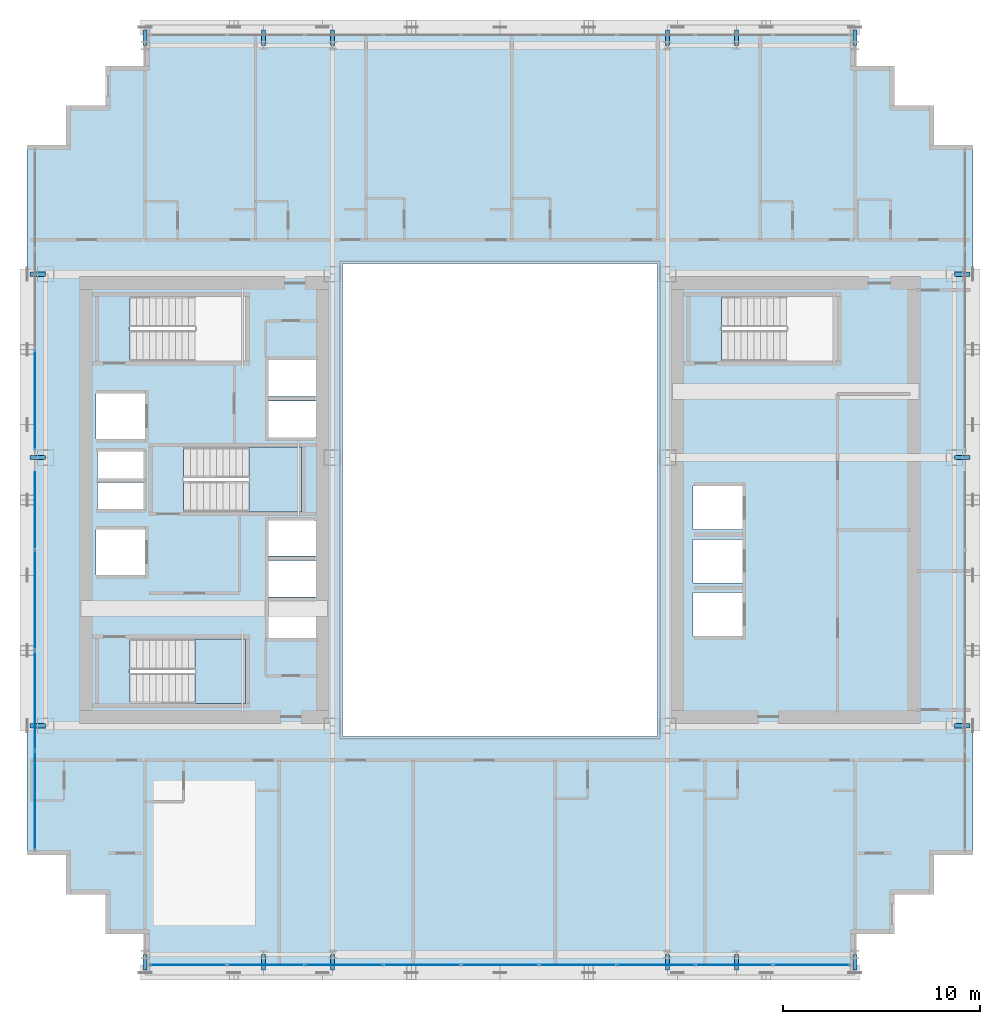
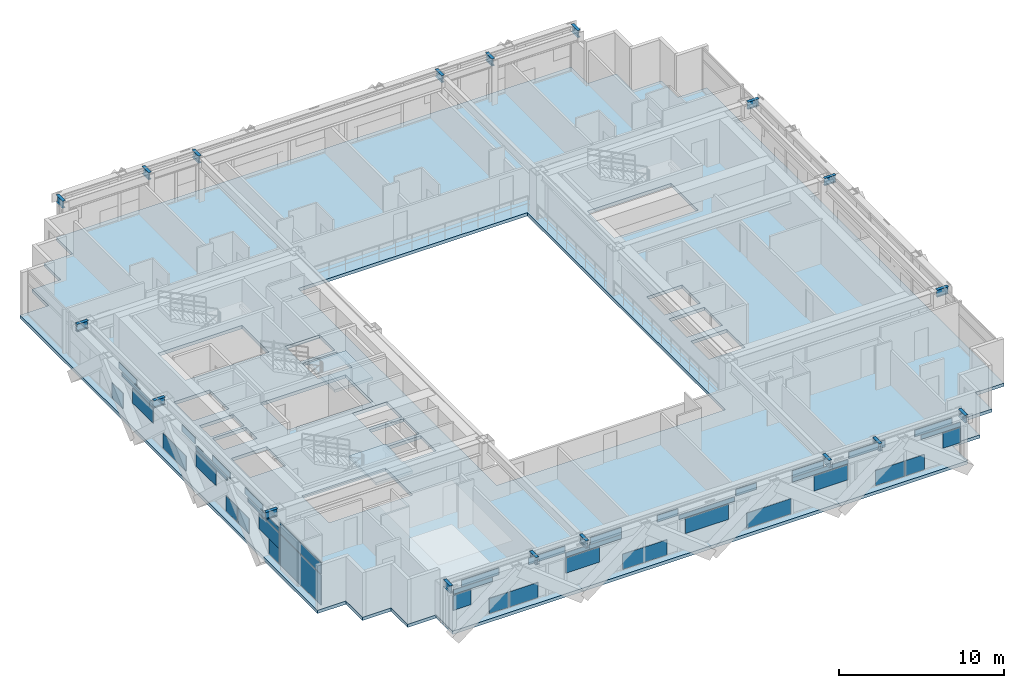
# One storey, part 23 of 36: 41 plates, 18 beams, 3 slabs, 4 elements without a shape of their own.
"""IFC4 building model written with IfcOpenShell, lengths in metres."""

from ifc_helpers import new_model, si_unit, direction, frame, origin, origin_2d, place, context, subcontext, project, spatial, polyline, rectangle, i_section, outline, extrude, source, transform, mapped, material, layer, layer_set, material_profile, profile_set, type_object, element, aggregate, save


model = new_model("IFC4")

# Units and contexts
model_context = context("Model", 3, precision=1e-05, world=origin(), true_north=direction((0.0, 1.0)))
body_context = subcontext(model_context, "Body", "Model", "MODEL_VIEW")
ifc_project = project(units=[si_unit("LENGTHUNIT", "METRE"), si_unit("AREAUNIT", "SQUARE_METRE"), si_unit("VOLUMEUNIT", "CUBIC_METRE"), si_unit("PLANEANGLEUNIT", "RADIAN"), si_unit("MASSUNIT", "GRAM", prefix="KILO")], contexts=[model_context])

# Site, building, storey
site_placement = place(None, origin())
site = spatial("IfcSite", under=ifc_project, at=site_placement, CompositionType="ELEMENT")
building_placement = place(site_placement, origin())
building = spatial("IfcBuilding", under=site, at=building_placement, Name="Ocotamira Hotel", CompositionType="ELEMENT")
storey_placement = place(building_placement, frame((0.0, 0.0, 147.60009765625)))
storey = spatial("IfcBuildingStorey", under=building, at=storey_placement, Name="L37", CompositionType="ELEMENT", Elevation=147.60009765625)

# Beams
ifc_material_1 = material(Name="Steel ASTM A992 Grade 50", Category="steel")
ifc_material_profile = material_profile(ifc_material_1, i_section(OverallWidth=0.2099609375, OverallDepth=0.537109375, WebThickness=0.010986328125, FlangeThickness=0.017333984375, FilletRadius=0.012939453125, at=origin_2d()), Name="W21X68")
ifc_profile_set = profile_set([ifc_material_profile], Name="Steel ASTM A992 Grade 50")
beam_type = type_object("IfcBeamType", Name="BM-SEC-W21X68", PredefinedType="JOIST", material=ifc_profile_set)
shared_shape_1 = source(origin(), body_context, "Body", "SweptSolid", [
    extrude(i_section(OverallWidth=0.2099609375, OverallDepth=0.537109375, WebThickness=0.010986328125, FlangeThickness=0.017333984375, FilletRadius=0.012939453125, at=origin_2d()), origin(), (0.0, 0.0, 1.0), 0.800048828125),
])
for number, where, z_axis, x_axis, name in (
    (1, (14.0, 2.949951171875, 3.011474609375), (0.0, -1.0, 0.0), (1.0, 0.0, 0.0), "L37 South Edge Header X14"),
    (2, (14.0, 49.050048828125, 3.011474609375), (0.0, 1.0, 0.0), (-1.0, 0.0, 0.0), "L37 North Edge Header X14"),
    (3, (20.0, 2.949951171875, 3.011474609375), (0.0, -1.0, 0.0), (1.0, 0.0, 0.0), "L37 South Edge Header X20"),
    (4, (20.0, 49.050048828125, 3.011474609375), (0.0, 1.0, 0.0), (-1.0, 0.0, 0.0), "L37 North Edge Header X20"),
    (5, (23.5, 2.949951171875, 3.011474609375), (0.0, -1.0, 0.0), (1.0, 0.0, 0.0), "L37 South Edge Header X23.5"),
    (6, (23.5, 49.050048828125, 3.011474609375), (0.0, 1.0, 0.0), (-1.0, 0.0, 0.0), "L37 North Edge Header X23.5"),
    (7, (40.5, 2.949951171875, 3.011474609375), (0.0, -1.0, 0.0), (1.0, 0.0, 0.0), "L37 South Edge Header X40.5"),
    (8, (40.5, 49.050048828125, 3.011474609375), (0.0, 1.0, 0.0), (-1.0, 0.0, 0.0), "L37 North Edge Header X40.5"),
    (9, (44.0, 2.949951171875, 3.011474609375), (0.0, -1.0, 0.0), (1.0, 0.0, 0.0), "L37 South Edge Header X44"),
    (10, (44.0, 49.050048828125, 3.011474609375), (0.0, 1.0, 0.0), (-1.0, 0.0, 0.0), "L37 North Edge Header X44"),
    (11, (50.0, 2.949951171875, 3.011474609375), (0.0, -1.0, 0.0), (1.0, 0.0, 0.0), "L37 South Edge Header X50"),
    (12, (50.0, 49.050048828125, 3.011474609375), (0.0, 1.0, 0.0), (-1.0, 0.0, 0.0), "L37 North Edge Header X50"),
    (13, (8.949951171875, 14.550048828125, 3.011474609375), (-1.0, 0.0, 0.0), (0.0, -1.0, 0.0), "L37 West Edge Header Y14.55"),
    (14, (55.050048828125, 14.550048828125, 3.011474609375), (1.0, 0.0, 0.0), (0.0, 1.0, 0.0), "L37 East Edge Header Y14.55"),
    (15, (8.949951171875, 28.14990234375, 3.011474609375), (-1.0, 0.0, 0.0), (0.0, -1.0, 0.0), "L37 West Edge Header Y28.15"),
    (16, (55.050048828125, 28.14990234375, 3.011474609375), (1.0, 0.0, 0.0), (0.0, 1.0, 0.0), "L37 East Edge Header Y28.15"),
    (17, (8.949951171875, 37.449951171875, 3.011474609375), (-1.0, 0.0, 0.0), (0.0, -1.0, 0.0), "L37 West Edge Header Y37.45"),
    (18, (55.050048828125, 37.449951171875, 3.011474609375), (1.0, 0.0, 0.0), (0.0, 1.0, 0.0), "L37 East Edge Header Y37.45"),
):
    element("IfcBeam", number, at=place(storey_placement, frame(where, z_axis=z_axis, x_axis=x_axis)), inside=storey, type_object=beam_type, Name=name, PredefinedType="JOIST", context=body_context, shape_type="MappedRepresentation", body=[
        mapped(shared_shape_1, transform((0.0, 0.0, 0.0), scale=1.0)),
    ])

# Stair, slab
ifc_material_2 = material(Name="Concrete C40/50", Category="concrete")
stair_type = type_object("IfcStairType", Name="ST-CORE-1560", PredefinedType="HALF_TURN_STAIR", material=ifc_material_2)
stair_1_placement = place(storey_placement, origin())
stair_1 = element("IfcStair", 19, at=stair_1_placement, inside=storey, type_object=stair_type, Name="L37 Exit Stair ST-1", PredefinedType="HALF_TURN_STAIR")
ifc_layer_1 = layer(ifc_material_2, 0.199951171875)
ifc_layer_set_1 = layer_set([ifc_layer_1], Name="Concrete C40/50")
slab_type_1 = type_object("IfcSlabType", Name="SLB-LAND-200", PredefinedType="LANDING", material=ifc_layer_set_1)
slab_1_placement = place(storey_placement, frame((0.0, 0.0, 1.599853515625)))
slab_1 = element("IfcSlab", 20, at=slab_1_placement, type_object=slab_type_1, Name="ST-1 landing 1", PredefinedType="LANDING", context=body_context, shape_type="SweptSolid", body=[
    extrude(outline(polyline([(16.530029296875, 15.669921875), (19.090087890625, 15.669921875), (19.090087890625, 18.949951171875), (16.530029296875, 18.949951171875), (16.530029296875, 15.669921875)])), origin(), (0.0, 0.0, 1.0), 0.199951171875),
])
aggregate(stair_1, [slab_1])

stair_2_placement = place(storey_placement, origin())
stair_2 = element("IfcStair", 21, at=stair_2_placement, inside=storey, type_object=stair_type, Name="L37 Exit Stair ST-3", PredefinedType="HALF_TURN_STAIR")
slab_2_placement = place(storey_placement, frame((0.0, 0.0, 1.599853515625)))
slab_2 = element("IfcSlab", 22, at=slab_2_placement, type_object=slab_type_1, Name="ST-3 landing 1", PredefinedType="LANDING", context=body_context, shape_type="SweptSolid", body=[
    extrude(outline(polyline([(19.260009765625, 25.39990234375), (21.919921875, 25.39990234375), (21.919921875, 28.679931640625), (19.260009765625, 28.679931640625), (19.260009765625, 25.39990234375)])), origin(), (0.0, 0.0, 1.0), 0.199951171875),
])
aggregate(stair_2, [slab_2])

# Slab
ifc_layer_2 = layer(ifc_material_2, 0.239990234375)
ifc_layer_set_2 = layer_set([ifc_layer_2], Name="Concrete C40/50")
slab_type_2 = type_object("IfcSlabType", Name="SLB-TYP-240", PredefinedType="FLOOR", material=ifc_layer_set_2)
slab_3_placement = place(storey_placement, frame((0.0, 0.0, -0.239990234375)))
element("IfcSlab", 23, at=slab_3_placement, inside=storey, type_object=slab_type_2, Name="L37 Structural Floor Slab", PredefinedType="FLOOR", context=body_context, shape_type="SweptSolid", body=[
    extrude(outline(polyline([(14.0, 2.0), (50.0, 2.0), (50.0, 4.0), (52.0, 4.0), (52.0, 6.0), (54.0, 6.0), (54.0, 8.0), (56.0, 8.0), (56.0, 44.0), (54.0, 44.0), (54.0, 46.0), (52.0, 46.0), (52.0, 48.0), (50.0, 48.0), (50.0, 50.0), (14.0, 50.0), (14.0, 48.0), (12.0, 48.0), (12.0, 46.0), (10.0, 46.0), (10.0, 44.0), (8.0, 44.0), (8.0, 8.0), (10.0, 8.0), (10.0, 6.0), (12.0, 6.0), (12.0, 4.0), (14.0, 4.0), (14.0, 2.0)]), holes=[polyline([(24.0, 14.0), (40.0, 14.0), (40.0, 38.0), (24.0, 38.0), (24.0, 14.0)]), polyline([(13.22998046875, 15.669921875), (19.090087890625, 15.669921875), (19.090087890625, 18.949951171875), (13.22998046875, 18.949951171875), (13.22998046875, 15.669921875)]), polyline([(13.22998046875, 33.050048828125), (19.090087890625, 33.050048828125), (19.090087890625, 36.330078125), (13.22998046875, 36.330078125), (13.22998046875, 33.050048828125)]), polyline([(15.9599609375, 25.39990234375), (21.919921875, 25.39990234375), (21.919921875, 28.679931640625), (15.9599609375, 28.679931640625), (15.9599609375, 25.39990234375)]), polyline([(43.22998046875, 33.050048828125), (49.090087890625, 33.050048828125), (49.090087890625, 36.330078125), (43.22998046875, 36.330078125), (43.22998046875, 33.050048828125)]), polyline([(41.800048828125, 19.10009765625), (44.300048828125, 19.10009765625), (44.300048828125, 21.300048828125), (41.800048828125, 21.300048828125), (41.800048828125, 19.10009765625)]), polyline([(41.800048828125, 21.800048828125), (44.300048828125, 21.800048828125), (44.300048828125, 24.0), (41.800048828125, 24.0), (41.800048828125, 21.800048828125)]), polyline([(41.800048828125, 24.5), (44.300048828125, 24.5), (44.300048828125, 26.699951171875), (41.800048828125, 26.699951171875), (41.800048828125, 24.5)]), polyline([(20.25, 19.0), (22.659912109375, 19.0), (22.659912109375, 20.85009765625), (20.25, 20.85009765625), (20.25, 19.0)]), polyline([(20.25, 21.080078125), (22.659912109375, 21.080078125), (22.659912109375, 22.929931640625), (20.25, 22.929931640625), (20.25, 21.080078125)]), polyline([(20.25, 23.159912109375), (22.659912109375, 23.159912109375), (22.659912109375, 24.9599609375), (20.25, 24.9599609375), (20.25, 23.159912109375)]), polyline([(20.25, 29.179931640625), (22.659912109375, 29.179931640625), (22.659912109375, 31.030029296875), (20.25, 31.030029296875), (20.25, 29.179931640625)]), polyline([(20.25, 31.260009765625), (22.659912109375, 31.260009765625), (22.659912109375, 33.110107421875), (20.25, 33.110107421875), (20.25, 31.260009765625)]), polyline([(11.5, 22.199951171875), (14.0, 22.199951171875), (14.0, 24.5), (11.5, 24.5), (11.5, 22.199951171875)]), polyline([(11.5, 29.10009765625), (14.0, 29.10009765625), (14.0, 31.39990234375), (11.5, 31.39990234375), (11.5, 29.10009765625)]), polyline([(11.580078125, 25.550048828125), (13.919921875, 25.550048828125), (13.919921875, 26.89990234375), (11.580078125, 26.89990234375), (11.580078125, 25.550048828125)]), polyline([(11.580078125, 27.10009765625), (13.919921875, 27.10009765625), (13.919921875, 28.449951171875), (11.580078125, 28.449951171875), (11.580078125, 27.10009765625)])]), origin(), (0.0, 0.0, 1.0), 0.239990234375),
])

# Curtain wall, plates
ifc_material_3 = material(Name="Anodised pale-metal aluminium and solar glass", Category="aluminium")
ifc_layer_3 = layer(ifc_material_3, 0.179931640625)
ifc_layer_set_3 = layer_set([ifc_layer_3], Name="Anodised pale-metal aluminium and solar glass")
curtain_wall_type = type_object("IfcCurtainWallType", Name="CW-SYS3-Z2", PredefinedType="NOTDEFINED", material=ifc_layer_set_3)
curtain_wall_1_placement = place(storey_placement, origin())
curtain_wall_1 = element("IfcCurtainWall", 24, at=curtain_wall_1_placement, inside=storey, type_object=curtain_wall_type, Name="L37 Curtain Wall CW-3 CW-L37-W", PredefinedType="NOTDEFINED")
ifc_material_4 = material(Name="Double-silver low-E insulated solar glass", Category="glass")
ifc_layer_4 = layer(ifc_material_4, 0.031982421875)
ifc_layer_set_4 = layer_set([ifc_layer_4], Name="Double-silver low-E insulated solar glass")
plate_type = type_object("IfcPlateType", Name="CWP-VISION-32", PredefinedType="CURTAIN_PANEL", material=ifc_layer_set_4)
shared_shape_2 = source(origin(), body_context, "Body", "SweptSolid", [
    extrude(rectangle(XDim=4.9658203125, YDim=0.031982421875, at=origin_2d()), origin(), (0.0, 0.0, 1.0), 2.237548828125),
])
plate_1_placement = place(storey_placement, frame((8.419921875, 10.762939453125, 0.07470703125), z_axis=(0.0, 0.0, 1.0), x_axis=(0.0, 1.0, 0.0)))
plate_1 = element("IfcPlate", 25, at=plate_1_placement, type_object=plate_type, Name="CW-3 panel 1.1", PredefinedType="CURTAIN_PANEL", context=body_context, shape_type="MappedRepresentation", body=[
    mapped(shared_shape_2, transform((0.0, 0.0, 0.0), scale=1.0)),
])
shared_shape_3 = source(origin(), body_context, "Body", "SweptSolid", [
    extrude(rectangle(XDim=4.9658203125, YDim=0.031982421875, at=origin_2d()), origin(), (0.0, 0.0, 1.0), 0.8173828125),
])
plate_2_placement = place(storey_placement, frame((8.419921875, 10.762939453125, 2.387451171875), z_axis=(0.0, 0.0, 1.0), x_axis=(0.0, 1.0, 0.0)))
plate_2 = element("IfcPlate", 26, at=plate_2_placement, type_object=plate_type, Name="CW-3 panel 1.2", PredefinedType="CURTAIN_PANEL", context=body_context, shape_type="MappedRepresentation", body=[
    mapped(shared_shape_3, transform((0.0, 0.0, 0.0), scale=1.0)),
])

curtain_wall_2_placement = place(storey_placement, origin())
curtain_wall_2 = element("IfcCurtainWall", 27, at=curtain_wall_2_placement, inside=storey, type_object=curtain_wall_type, Name="L37 Curtain Wall CW-3 CW-L37-S1", PredefinedType="NOTDEFINED")
shared_shape_4 = source(origin(), body_context, "Body", "SweptSolid", [
    extrude(rectangle(XDim=1.223388671875, YDim=0.031982421875, at=origin_2d()), origin(), (0.0, 0.0, 1.0), 1.118896484375),
])
plate_3_placement = place(storey_placement, frame((14.8916015625, 2.419921875, 1.193359375), z_axis=(0.0, 0.0, 1.0), x_axis=(1.0, 0.0, 0.0)))
plate_3 = element("IfcPlate", 28, at=plate_3_placement, type_object=plate_type, Name="CW-3 panel 1.1.1", PredefinedType="CURTAIN_PANEL", context=body_context, shape_type="MappedRepresentation", body=[
    mapped(shared_shape_4, transform((0.0, 0.0, 0.0), scale=1.0)),
])
plate_4_placement = place(storey_placement, frame((49.1083984375, 2.419921875, 1.193359375), z_axis=(0.0, 0.0, 1.0), x_axis=(1.0, 0.0, 0.0)))
plate_4 = element("IfcPlate", 29, at=plate_4_placement, type_object=plate_type, Name="CW-3 panel 9.1.2", PredefinedType="CURTAIN_PANEL", context=body_context, shape_type="MappedRepresentation", body=[
    mapped(shared_shape_4, transform((0.0, 0.0, 0.0), scale=1.0)),
])
shared_shape_5 = source(origin(), body_context, "Body", "SweptSolid", [
    extrude(rectangle(XDim=1.313720703125, YDim=0.031982421875, at=origin_2d()), origin(), (0.0, 0.0, 1.0), 1.11865234375),
])
plate_5_placement = place(storey_placement, frame((17.458740234375, 2.419921875, 0.074951171875), z_axis=(0.0, 0.0, 1.0), x_axis=(1.0, 0.0, 0.0)))
plate_5 = element("IfcPlate", 30, at=plate_5_placement, type_object=plate_type, Name="CW-3 panel 1.1.2", PredefinedType="CURTAIN_PANEL", context=body_context, shape_type="MappedRepresentation", body=[
    mapped(shared_shape_5, transform((0.0, 0.0, 0.0), scale=1.0)),
])
plate_6_placement = place(storey_placement, frame((46.541259765625, 2.419921875, 0.074951171875), z_axis=(0.0, 0.0, 1.0), x_axis=(1.0, 0.0, 0.0)))
plate_6 = element("IfcPlate", 31, at=plate_6_placement, type_object=plate_type, Name="CW-3 panel 9.1.1", PredefinedType="CURTAIN_PANEL", context=body_context, shape_type="MappedRepresentation", body=[
    mapped(shared_shape_5, transform((0.0, 0.0, 0.0), scale=1.0)),
])
shared_shape_6 = source(origin(), body_context, "Body", "SweptSolid", [
    extrude(rectangle(XDim=2.74951171875, YDim=0.031982421875, at=origin_2d()), origin(), (0.0, 0.0, 1.0), 0.315185546875),
])
plate_7_placement = place(storey_placement, frame((15.65478515625, 2.419921875, 2.38720703125), z_axis=(0.0, 0.0, 1.0), x_axis=(1.0, 0.0, 0.0)))
plate_7 = element("IfcPlate", 32, at=plate_7_placement, type_object=plate_type, Name="CW-3 panel 1.2.1", PredefinedType="CURTAIN_PANEL", context=body_context, shape_type="MappedRepresentation", body=[
    mapped(shared_shape_6, transform((0.0, 0.0, 0.0), scale=1.0)),
])
plate_8_placement = place(storey_placement, frame((48.34521484375, 2.419921875, 2.38720703125), z_axis=(0.0, 0.0, 1.0), x_axis=(1.0, 0.0, 0.0)))
plate_8 = element("IfcPlate", 33, at=plate_8_placement, type_object=plate_type, Name="CW-3 panel 9.2.2", PredefinedType="CURTAIN_PANEL", context=body_context, shape_type="MappedRepresentation", body=[
    mapped(shared_shape_6, transform((0.0, 0.0, 0.0), scale=1.0)),
])
shared_shape_7 = source(origin(), body_context, "Body", "SweptSolid", [
    extrude(rectangle(XDim=2.612060546875, YDim=0.031982421875, at=origin_2d()), origin(), (0.0, 0.0, 1.0), 0.474609375),
])
plate_9_placement = place(storey_placement, frame((16.16162109375, 2.419921875, 2.730224609375), z_axis=(0.0, 0.0, 1.0), x_axis=(1.0, 0.0, 0.0)))
plate_9 = element("IfcPlate", 34, at=plate_9_placement, type_object=plate_type, Name="CW-3 panel 1.2.2", PredefinedType="CURTAIN_PANEL", context=body_context, shape_type="MappedRepresentation", body=[
    mapped(shared_shape_7, transform((0.0, 0.0, 0.0), scale=1.0)),
])
plate_10_placement = place(storey_placement, frame((47.83837890625, 2.419921875, 2.730224609375), z_axis=(0.0, 0.0, 1.0), x_axis=(1.0, 0.0, 0.0)))
plate_10 = element("IfcPlate", 35, at=plate_10_placement, type_object=plate_type, Name="CW-3 panel 9.2.1", PredefinedType="CURTAIN_PANEL", context=body_context, shape_type="MappedRepresentation", body=[
    mapped(shared_shape_7, transform((0.0, 0.0, 0.0), scale=1.0)),
])
shared_shape_8 = source(origin(), body_context, "Body", "SweptSolid", [
    extrude(rectangle(XDim=2.002685546875, YDim=0.031982421875, at=origin_2d()), origin(), (0.0, 0.0, 1.0), 1.11865234375),
])
plate_11_placement = place(storey_placement, frame((19.197021484375, 2.419921875, 0.074951171875), z_axis=(0.0, 0.0, 1.0), x_axis=(1.0, 0.0, 0.0)))
plate_11 = element("IfcPlate", 36, at=plate_11_placement, type_object=plate_type, Name="CW-3 panel 2.1.1", PredefinedType="CURTAIN_PANEL", context=body_context, shape_type="MappedRepresentation", body=[
    mapped(shared_shape_8, transform((0.0, 0.0, 0.0), scale=1.0)),
])
plate_12_placement = place(storey_placement, frame((44.802978515625, 2.419921875, 0.074951171875), z_axis=(0.0, 0.0, 1.0), x_axis=(1.0, 0.0, 0.0)))
plate_12 = element("IfcPlate", 37, at=plate_12_placement, type_object=plate_type, Name="CW-3 panel 8.1.1", PredefinedType="CURTAIN_PANEL", context=body_context, shape_type="MappedRepresentation", body=[
    mapped(shared_shape_8, transform((0.0, 0.0, 0.0), scale=1.0)),
])
shared_shape_9 = source(origin(), body_context, "Body", "SweptSolid", [
    extrude(rectangle(XDim=2.538818359375, YDim=0.031982421875, at=origin_2d()), origin(), (0.0, 0.0, 1.0), 0.474609375),
])
plate_13_placement = place(storey_placement, frame((20.8017578125, 2.419921875, 2.730224609375), z_axis=(0.0, 0.0, 1.0), x_axis=(1.0, 0.0, 0.0)))
plate_13 = element("IfcPlate", 38, at=plate_13_placement, type_object=plate_type, Name="CW-3 panel 2.2.1", PredefinedType="CURTAIN_PANEL", context=body_context, shape_type="MappedRepresentation", body=[
    mapped(shared_shape_9, transform((0.0, 0.0, 0.0), scale=1.0)),
])
plate_14_placement = place(storey_placement, frame((43.1982421875, 2.419921875, 2.730224609375), z_axis=(0.0, 0.0, 1.0), x_axis=(1.0, 0.0, 0.0)))
plate_14 = element("IfcPlate", 39, at=plate_14_placement, type_object=plate_type, Name="CW-3 panel 8.2.1", PredefinedType="CURTAIN_PANEL", context=body_context, shape_type="MappedRepresentation", body=[
    mapped(shared_shape_9, transform((0.0, 0.0, 0.0), scale=1.0)),
])
shared_shape_10 = source(origin(), body_context, "Body", "SweptSolid", [
    extrude(rectangle(XDim=2.352294921875, YDim=0.031982421875, at=origin_2d()), origin(), (0.0, 0.0, 1.0), 1.118896484375),
])
plate_15_placement = place(storey_placement, frame((23.3271484375, 2.419921875, 1.193359375), z_axis=(0.0, 0.0, 1.0), x_axis=(1.0, 0.0, 0.0)))
plate_15 = element("IfcPlate", 40, at=plate_15_placement, type_object=plate_type, Name="CW-3 panel 3.1.1", PredefinedType="CURTAIN_PANEL", context=body_context, shape_type="MappedRepresentation", body=[
    mapped(shared_shape_10, transform((0.0, 0.0, 0.0), scale=1.0)),
])
plate_16_placement = place(storey_placement, frame((40.6728515625, 2.419921875, 1.193359375), z_axis=(0.0, 0.0, 1.0), x_axis=(1.0, 0.0, 0.0)))
plate_16 = element("IfcPlate", 41, at=plate_16_placement, type_object=plate_type, Name="CW-3 panel 7.1.1", PredefinedType="CURTAIN_PANEL", context=body_context, shape_type="MappedRepresentation", body=[
    mapped(shared_shape_10, transform((0.0, 0.0, 0.0), scale=1.0)),
])
shared_shape_11 = source(origin(), body_context, "Body", "SweptSolid", [
    extrude(rectangle(XDim=3.87548828125, YDim=0.031982421875, at=origin_2d()), origin(), (0.0, 0.0, 1.0), 0.315185546875),
])
plate_17_placement = place(storey_placement, frame((24.0888671875, 2.419921875, 2.38720703125), z_axis=(0.0, 0.0, 1.0), x_axis=(1.0, 0.0, 0.0)))
plate_17 = element("IfcPlate", 42, at=plate_17_placement, type_object=plate_type, Name="CW-3 panel 3.2.1", PredefinedType="CURTAIN_PANEL", context=body_context, shape_type="MappedRepresentation", body=[
    mapped(shared_shape_11, transform((0.0, 0.0, 0.0), scale=1.0)),
])
plate_18_placement = place(storey_placement, frame((32.0, 2.419921875, 2.38720703125), z_axis=(0.0, 0.0, 1.0), x_axis=(1.0, 0.0, 0.0)))
plate_18 = element("IfcPlate", 43, at=plate_18_placement, type_object=plate_type, Name="CW-3 panel 5.2.1", PredefinedType="CURTAIN_PANEL", context=body_context, shape_type="MappedRepresentation", body=[
    mapped(shared_shape_11, transform((0.0, 0.0, 0.0), scale=1.0)),
])
plate_19_placement = place(storey_placement, frame((39.9111328125, 2.419921875, 2.38720703125), z_axis=(0.0, 0.0, 1.0), x_axis=(1.0, 0.0, 0.0)))
plate_19 = element("IfcPlate", 44, at=plate_19_placement, type_object=plate_type, Name="CW-3 panel 7.2.1", PredefinedType="CURTAIN_PANEL", context=body_context, shape_type="MappedRepresentation", body=[
    mapped(shared_shape_11, transform((0.0, 0.0, 0.0), scale=1.0)),
])
shared_shape_12 = source(origin(), body_context, "Body", "SweptSolid", [
    extrude(rectangle(XDim=2.1708984375, YDim=0.031982421875, at=origin_2d()), origin(), (0.0, 0.0, 1.0), 0.502197265625),
])
plate_20_placement = place(storey_placement, frame((24.941162109375, 2.419921875, 2.70263671875), z_axis=(0.0, 0.0, 1.0), x_axis=(1.0, 0.0, 0.0)))
plate_20 = element("IfcPlate", 45, at=plate_20_placement, type_object=plate_type, Name="CW-3 panel 3.2.2", PredefinedType="CURTAIN_PANEL", context=body_context, shape_type="MappedRepresentation", body=[
    mapped(shared_shape_12, transform((0.0, 0.0, 0.0), scale=1.0)),
])
plate_21_placement = place(storey_placement, frame((39.058837890625, 2.419921875, 2.70263671875), z_axis=(0.0, 0.0, 1.0), x_axis=(1.0, 0.0, 0.0)))
plate_21 = element("IfcPlate", 46, at=plate_21_placement, type_object=plate_type, Name="CW-3 panel 7.2.2", PredefinedType="CURTAIN_PANEL", context=body_context, shape_type="MappedRepresentation", body=[
    mapped(shared_shape_12, transform((0.0, 0.0, 0.0), scale=1.0)),
])
shared_shape_13 = source(origin(), body_context, "Body", "SweptSolid", [
    extrude(rectangle(XDim=3.091552734375, YDim=0.031982421875, at=origin_2d()), origin(), (0.0, 0.0, 1.0), 1.11865234375),
])
plate_22_placement = place(storey_placement, frame((27.652587890625, 2.419921875, 0.074951171875), z_axis=(0.0, 0.0, 1.0), x_axis=(1.0, 0.0, 0.0)))
plate_22 = element("IfcPlate", 47, at=plate_22_placement, type_object=plate_type, Name="CW-3 panel 4.1.1", PredefinedType="CURTAIN_PANEL", context=body_context, shape_type="MappedRepresentation", body=[
    mapped(shared_shape_13, transform((0.0, 0.0, 0.0), scale=1.0)),
])
plate_23_placement = place(storey_placement, frame((36.347412109375, 2.419921875, 0.074951171875), z_axis=(0.0, 0.0, 1.0), x_axis=(1.0, 0.0, 0.0)))
plate_23 = element("IfcPlate", 48, at=plate_23_placement, type_object=plate_type, Name="CW-3 panel 6.1.1", PredefinedType="CURTAIN_PANEL", context=body_context, shape_type="MappedRepresentation", body=[
    mapped(shared_shape_13, transform((0.0, 0.0, 0.0), scale=1.0)),
])
shared_shape_14 = source(origin(), body_context, "Body", "SweptSolid", [
    extrude(rectangle(XDim=1.449951171875, YDim=0.031982421875, at=origin_2d()), origin(), (0.0, 0.0, 1.0), 0.474609375),
])
plate_24_placement = place(storey_placement, frame((29.25732421875, 2.419921875, 2.730224609375), z_axis=(0.0, 0.0, 1.0), x_axis=(1.0, 0.0, 0.0)))
plate_24 = element("IfcPlate", 49, at=plate_24_placement, type_object=plate_type, Name="CW-3 panel 4.2.1", PredefinedType="CURTAIN_PANEL", context=body_context, shape_type="MappedRepresentation", body=[
    mapped(shared_shape_14, transform((0.0, 0.0, 0.0), scale=1.0)),
])
plate_25_placement = place(storey_placement, frame((34.74267578125, 2.419921875, 2.730224609375), z_axis=(0.0, 0.0, 1.0), x_axis=(1.0, 0.0, 0.0)))
plate_25 = element("IfcPlate", 50, at=plate_25_placement, type_object=plate_type, Name="CW-3 panel 6.2.1", PredefinedType="CURTAIN_PANEL", context=body_context, shape_type="MappedRepresentation", body=[
    mapped(shared_shape_14, transform((0.0, 0.0, 0.0), scale=1.0)),
])
shared_shape_15 = source(origin(), body_context, "Body", "SweptSolid", [
    extrude(rectangle(XDim=3.006591796875, YDim=0.031982421875, at=origin_2d()), origin(), (0.0, 0.0, 1.0), 1.118896484375),
])
plate_26_placement = place(storey_placement, frame((32.0, 2.419921875, 1.193359375), z_axis=(0.0, 0.0, 1.0), x_axis=(1.0, 0.0, 0.0)))
plate_26 = element("IfcPlate", 51, at=plate_26_placement, type_object=plate_type, Name="CW-3 panel 5.1.1", PredefinedType="CURTAIN_PANEL", context=body_context, shape_type="MappedRepresentation", body=[
    mapped(shared_shape_15, transform((0.0, 0.0, 0.0), scale=1.0)),
])
aggregate(curtain_wall_2, [plate_3, plate_5, plate_7, plate_9, plate_11, plate_13, plate_15, plate_17, plate_20, plate_22, plate_24, plate_26, plate_18, plate_23, plate_25, plate_16, plate_19, plate_21, plate_12, plate_14, plate_6, plate_4, plate_10, plate_8])

# Plate
shared_shape_16 = source(origin(), body_context, "Body", "SweptSolid", [
    extrude(rectangle(XDim=1.246826171875, YDim=0.031982421875, at=origin_2d()), origin(), (0.0, 0.0, 1.0), 1.11865234375),
])
plate_27_placement = place(storey_placement, frame((8.419921875, 13.94921875, 0.074951171875), z_axis=(0.0, 0.0, 1.0), x_axis=(0.0, 1.0, 0.0)))
plate_27 = element("IfcPlate", 52, at=plate_27_placement, type_object=plate_type, Name="CW-3 panel 2.1.1", PredefinedType="CURTAIN_PANEL", context=body_context, shape_type="MappedRepresentation", body=[
    mapped(shared_shape_16, transform((0.0, 0.0, 0.0), scale=1.0)),
])

shared_shape_17 = source(origin(), body_context, "Body", "SweptSolid", [
    extrude(rectangle(XDim=2.4599609375, YDim=0.031982421875, at=origin_2d()), origin(), (0.0, 0.0, 1.0), 1.118896484375),
])
plate_28_placement = place(storey_placement, frame((8.419921875, 14.5556640625, 1.193359375), z_axis=(0.0, 0.0, 1.0), x_axis=(0.0, 1.0, 0.0)))
plate_28 = element("IfcPlate", 53, at=plate_28_placement, type_object=plate_type, Name="CW-3 panel 2.1.2", PredefinedType="CURTAIN_PANEL", context=body_context, shape_type="MappedRepresentation", body=[
    mapped(shared_shape_17, transform((0.0, 0.0, 0.0), scale=1.0)),
])

shared_shape_18 = source(origin(), body_context, "Body", "SweptSolid", [
    extrude(rectangle(XDim=1.36572265625, YDim=0.031982421875, at=origin_2d()), origin(), (0.0, 0.0, 1.0), 1.11865234375),
])
plate_29_placement = place(storey_placement, frame((8.419921875, 17.6484375, 0.074951171875), z_axis=(0.0, 0.0, 1.0), x_axis=(0.0, 1.0, 0.0)))
plate_29 = element("IfcPlate", 54, at=plate_29_placement, type_object=plate_type, Name="CW-3 panel 2.1.3", PredefinedType="CURTAIN_PANEL", context=body_context, shape_type="MappedRepresentation", body=[
    mapped(shared_shape_18, transform((0.0, 0.0, 0.0), scale=1.0)),
])

shared_shape_19 = source(origin(), body_context, "Body", "SweptSolid", [
    extrude(rectangle(XDim=3.754150390625, YDim=0.031982421875, at=origin_2d()), origin(), (0.0, 0.0, 1.0), 0.335205078125),
])
plate_30_placement = place(storey_placement, frame((8.419921875, 15.202880859375, 2.38720703125), z_axis=(0.0, 0.0, 1.0), x_axis=(0.0, 1.0, 0.0)))
plate_30 = element("IfcPlate", 55, at=plate_30_placement, type_object=plate_type, Name="CW-3 panel 2.2.1", PredefinedType="CURTAIN_PANEL", context=body_context, shape_type="MappedRepresentation", body=[
    mapped(shared_shape_19, transform((0.0, 0.0, 0.0), scale=1.0)),
])

shared_shape_20 = source(origin(), body_context, "Body", "SweptSolid", [
    extrude(rectangle(XDim=2.160400390625, YDim=0.031982421875, at=origin_2d()), origin(), (0.0, 0.0, 1.0), 0.4521484375),
])
plate_31_placement = place(storey_placement, frame((8.419921875, 16.39599609375, 2.7529296875), z_axis=(0.0, 0.0, 1.0), x_axis=(0.0, 1.0, 0.0)))
plate_31 = element("IfcPlate", 56, at=plate_31_placement, type_object=plate_type, Name="CW-3 panel 2.2.2", PredefinedType="CURTAIN_PANEL", context=body_context, shape_type="MappedRepresentation", body=[
    mapped(shared_shape_20, transform((0.0, 0.0, 0.0), scale=1.0)),
])

plate_32_placement = place(storey_placement, frame((8.419921875, 20.33740234375, 2.7529296875), z_axis=(0.0, 0.0, 1.0), x_axis=(0.0, 1.0, 0.0)))
plate_32 = element("IfcPlate", 57, at=plate_32_placement, type_object=plate_type, Name="CW-3 panel 3.2.1", PredefinedType="CURTAIN_PANEL", context=body_context, shape_type="MappedRepresentation", body=[
    mapped(shared_shape_20, transform((0.0, 0.0, 0.0), scale=1.0)),
])

plate_33_placement = place(storey_placement, frame((8.419921875, 31.66259765625, 2.7529296875), z_axis=(0.0, 0.0, 1.0), x_axis=(0.0, 1.0, 0.0)))
plate_33 = element("IfcPlate", 58, at=plate_33_placement, type_object=plate_type, Name="CW-3 panel 5.2.2", PredefinedType="CURTAIN_PANEL", context=body_context, shape_type="MappedRepresentation", body=[
    mapped(shared_shape_20, transform((0.0, 0.0, 0.0), scale=1.0)),
])

shared_shape_21 = source(origin(), body_context, "Body", "SweptSolid", [
    extrude(rectangle(XDim=1.356201171875, YDim=0.031982421875, at=origin_2d()), origin(), (0.0, 0.0, 1.0), 1.11865234375),
])
plate_34_placement = place(storey_placement, frame((8.419921875, 19.089599609375, 0.074951171875), z_axis=(0.0, 0.0, 1.0), x_axis=(0.0, 1.0, 0.0)))
plate_34 = element("IfcPlate", 59, at=plate_34_placement, type_object=plate_type, Name="CW-3 panel 3.1.1", PredefinedType="CURTAIN_PANEL", context=body_context, shape_type="MappedRepresentation", body=[
    mapped(shared_shape_21, transform((0.0, 0.0, 0.0), scale=1.0)),
])

plate_35_placement = place(storey_placement, frame((8.419921875, 32.910400390625, 0.074951171875), z_axis=(0.0, 0.0, 1.0), x_axis=(0.0, 1.0, 0.0)))
plate_35 = element("IfcPlate", 60, at=plate_35_placement, type_object=plate_type, Name="CW-3 panel 5.1.2", PredefinedType="CURTAIN_PANEL", context=body_context, shape_type="MappedRepresentation", body=[
    mapped(shared_shape_21, transform((0.0, 0.0, 0.0), scale=1.0)),
])

shared_shape_22 = source(origin(), body_context, "Body", "SweptSolid", [
    extrude(rectangle(XDim=2.469482421875, YDim=0.031982421875, at=origin_2d()), origin(), (0.0, 0.0, 1.0), 1.118896484375),
])
plate_36_placement = place(storey_placement, frame((8.419921875, 22.182373046875, 1.193359375), z_axis=(0.0, 0.0, 1.0), x_axis=(0.0, 1.0, 0.0)))
plate_36 = element("IfcPlate", 61, at=plate_36_placement, type_object=plate_type, Name="CW-3 panel 3.1.2", PredefinedType="CURTAIN_PANEL", context=body_context, shape_type="MappedRepresentation", body=[
    mapped(shared_shape_22, transform((0.0, 0.0, 0.0), scale=1.0)),
])

plate_37_placement = place(storey_placement, frame((8.419921875, 29.817626953125, 1.193359375), z_axis=(0.0, 0.0, 1.0), x_axis=(0.0, 1.0, 0.0)))
plate_37 = element("IfcPlate", 62, at=plate_37_placement, type_object=plate_type, Name="CW-3 panel 5.1.1", PredefinedType="CURTAIN_PANEL", context=body_context, shape_type="MappedRepresentation", body=[
    mapped(shared_shape_22, transform((0.0, 0.0, 0.0), scale=1.0)),
])

shared_shape_23 = source(origin(), body_context, "Body", "SweptSolid", [
    extrude(rectangle(XDim=3.763916015625, YDim=0.031982421875, at=origin_2d()), origin(), (0.0, 0.0, 1.0), 0.335205078125),
])
plate_38_placement = place(storey_placement, frame((8.419921875, 21.53515625, 2.38720703125), z_axis=(0.0, 0.0, 1.0), x_axis=(0.0, 1.0, 0.0)))
plate_38 = element("IfcPlate", 63, at=plate_38_placement, type_object=plate_type, Name="CW-3 panel 3.2.2", PredefinedType="CURTAIN_PANEL", context=body_context, shape_type="MappedRepresentation", body=[
    mapped(shared_shape_23, transform((0.0, 0.0, 0.0), scale=1.0)),
])

plate_39_placement = place(storey_placement, frame((8.419921875, 30.46484375, 2.38720703125), z_axis=(0.0, 0.0, 1.0), x_axis=(0.0, 1.0, 0.0)))
plate_39 = element("IfcPlate", 64, at=plate_39_placement, type_object=plate_type, Name="CW-3 panel 5.2.1", PredefinedType="CURTAIN_PANEL", context=body_context, shape_type="MappedRepresentation", body=[
    mapped(shared_shape_23, transform((0.0, 0.0, 0.0), scale=1.0)),
])

shared_shape_24 = source(origin(), body_context, "Body", "SweptSolid", [
    extrude(rectangle(XDim=2.802001953125, YDim=0.031982421875, at=origin_2d()), origin(), (0.0, 0.0, 1.0), 1.11865234375),
])
plate_40_placement = place(storey_placement, frame((8.419921875, 26.0, 0.074951171875), z_axis=(0.0, 0.0, 1.0), x_axis=(0.0, 1.0, 0.0)))
plate_40 = element("IfcPlate", 65, at=plate_40_placement, type_object=plate_type, Name="CW-3 panel 4.1.1", PredefinedType="CURTAIN_PANEL", context=body_context, shape_type="MappedRepresentation", body=[
    mapped(shared_shape_24, transform((0.0, 0.0, 0.0), scale=1.0)),
])

shared_shape_25 = source(origin(), body_context, "Body", "SweptSolid", [
    extrude(rectangle(XDim=1.6123046875, YDim=0.031982421875, at=origin_2d()), origin(), (0.0, 0.0, 1.0), 0.4521484375),
])
plate_41_placement = place(storey_placement, frame((8.419921875, 24.30322265625, 2.7529296875), z_axis=(0.0, 0.0, 1.0), x_axis=(0.0, 1.0, 0.0)))
plate_41 = element("IfcPlate", 66, at=plate_41_placement, type_object=plate_type, Name="CW-3 panel 4.2.1", PredefinedType="CURTAIN_PANEL", context=body_context, shape_type="MappedRepresentation", body=[
    mapped(shared_shape_25, transform((0.0, 0.0, 0.0), scale=1.0)),
])

aggregate(curtain_wall_1, [plate_1, plate_2, plate_27, plate_28, plate_29, plate_30, plate_31, plate_34, plate_36, plate_32, plate_38, plate_40, plate_41, plate_37, plate_35, plate_39, plate_33])

save(model, "model.ifc")
